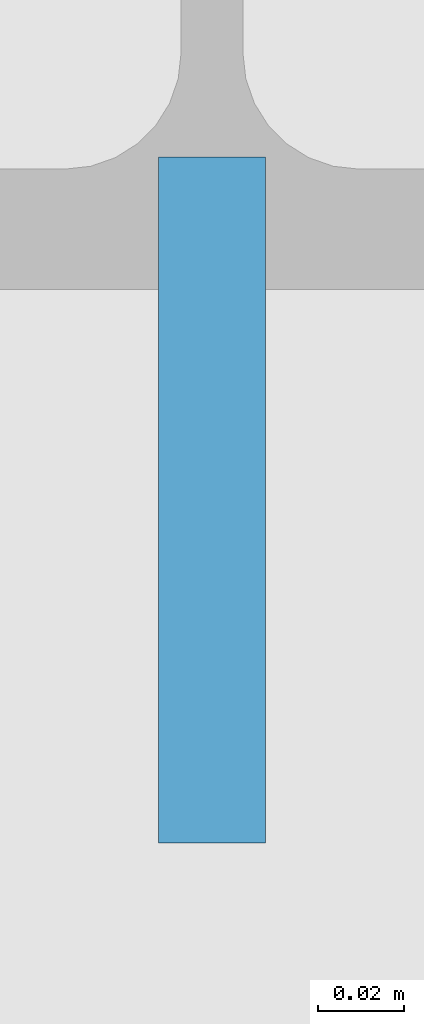
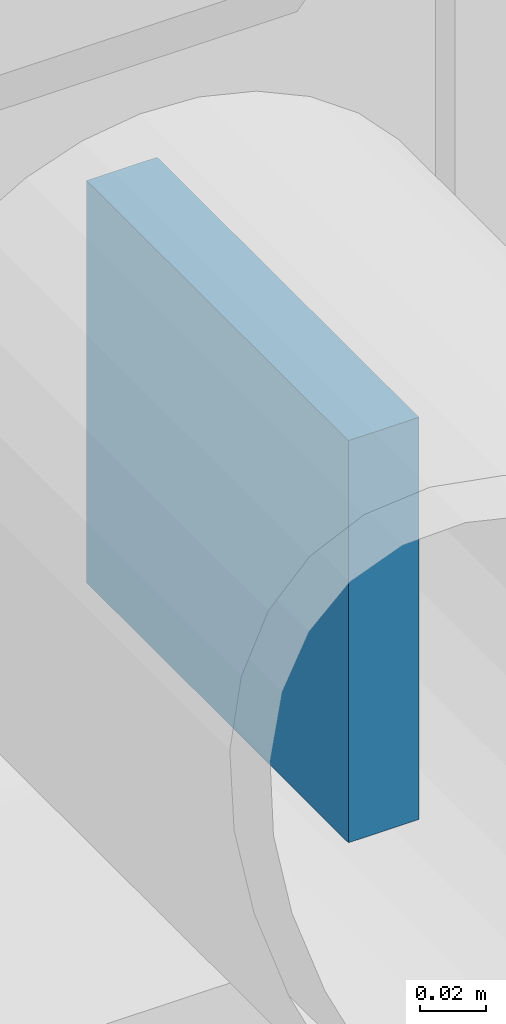
# One storey, part 49 of 58: 1 discrete accessory.
"""IFC4 building model written with IfcOpenShell, lengths in metres."""

from ifc_helpers import new_model, si_unit, direction, frame, origin, origin_2d, place, context, subcontext, project, spatial, rectangle, extrude, material, layer, layer_set, type_object, element, save


model = new_model("IFC4")

# Units and contexts
model_context = context("Model", 3, precision=1e-05, world=origin(), true_north=direction((0.0, 1.0)))
body_context = subcontext(model_context, "Body", "Model", "MODEL_VIEW")
ifc_project = project(units=[si_unit("LENGTHUNIT", "METRE"), si_unit("AREAUNIT", "SQUARE_METRE"), si_unit("VOLUMEUNIT", "CUBIC_METRE"), si_unit("PLANEANGLEUNIT", "RADIAN"), si_unit("MASSUNIT", "GRAM", prefix="KILO")], contexts=[model_context])

# Site, building, storey
site_placement = place(None, origin())
site = spatial("IfcSite", under=ifc_project, at=site_placement, CompositionType="ELEMENT")
building_placement = place(site_placement, origin())
building = spatial("IfcBuilding", under=site, at=building_placement, Name="Galleria Vessillo Department Store", CompositionType="ELEMENT")
storey_placement = place(building_placement, frame((0.0, 0.0, 31.199951171875)))
storey = spatial("IfcBuildingStorey", under=building, at=storey_placement, Name="L06", CompositionType="ELEMENT", Elevation=31.199951171875)

# Discrete accessory
ifc_material = material(Name="Steel S355 J2", Category="steel")
ifc_layer = layer(ifc_material, 0.02490234375)
ifc_layer_set = layer_set([ifc_layer], Name="Steel S355 J2")
discrete_accessory_type = type_object("IfcDiscreteAccessoryType", Name="Vault tie cast-in and shear bracket CN16", PredefinedType="BRACKET", material=ifc_layer_set)
discrete_accessory_placement = place(storey_placement, frame((92.39990234375, 37.5009765625, -0.224853515625), z_axis=(0.0, 0.0, 1.0), x_axis=(1.0, 0.0, 0.0)))
element("IfcDiscreteAccessory", 1, at=discrete_accessory_placement, inside=storey, type_object=discrete_accessory_type, Name="Vault tie connection bracket S-VT-0924 north", PredefinedType="BRACKET", context=body_context, shape_type="SweptSolid", body=[
    extrude(rectangle(XDim=0.02490234375, YDim=0.159912109375, at=origin_2d()), origin(), (0.0, 0.0, 1.0), 0.14990234375),
])

save(model, "model.ifc")
